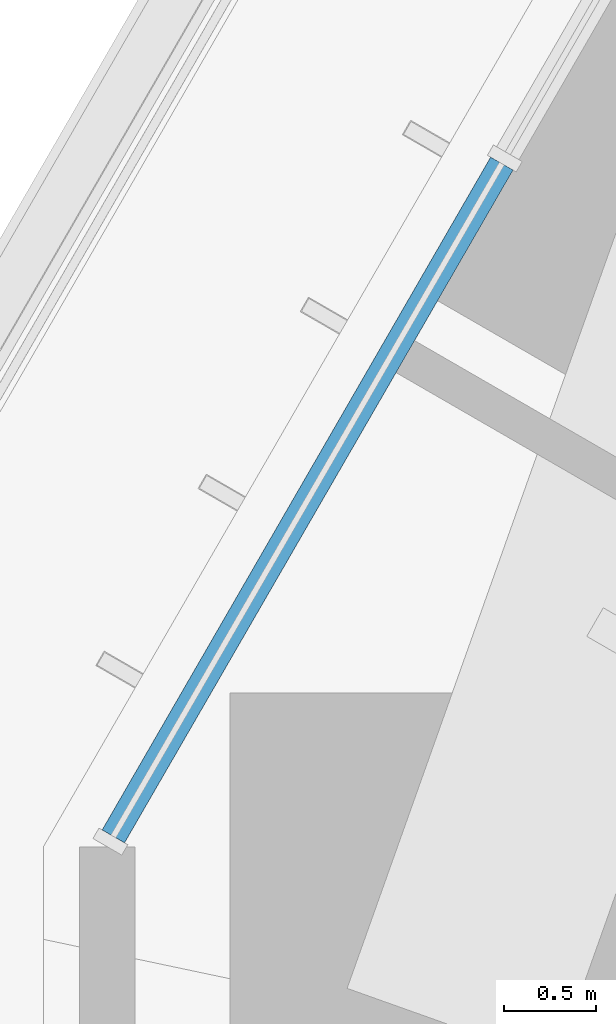
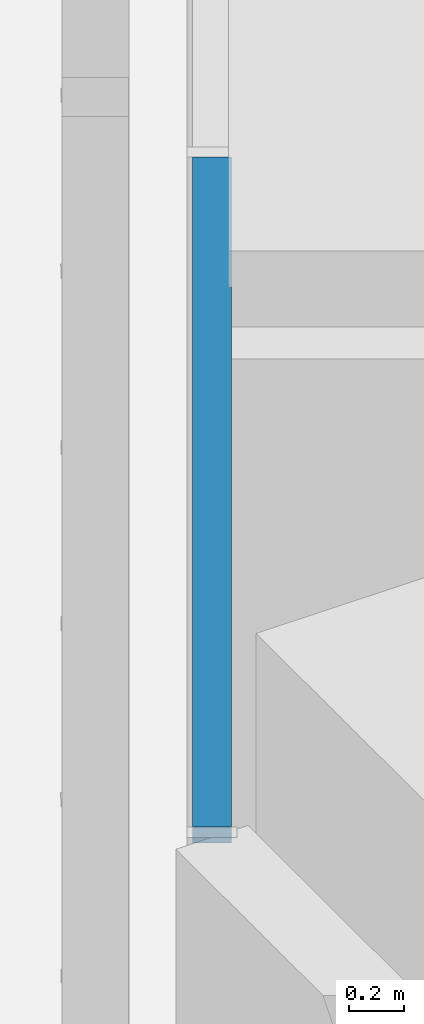
# One storey, part 126 of 238: 1 member, 1 element without a shape of its own.
"""IFC4 building model written with IfcOpenShell, lengths in metres."""

from ifc_helpers import new_model, si_unit, direction, frame, origin, origin_2d, place, context, subcontext, project, spatial, rectangle, extrude, material, material_profile, profile_set, type_object, element, aggregate, save


model = new_model("IFC4")

# Units and contexts
model_context = context("Model", 3, precision=1e-05, world=origin(), true_north=direction((0.0, 1.0)))
body_context = subcontext(model_context, "Body", "Model", "MODEL_VIEW")
ifc_project = project(units=[si_unit("LENGTHUNIT", "METRE"), si_unit("AREAUNIT", "SQUARE_METRE"), si_unit("VOLUMEUNIT", "CUBIC_METRE"), si_unit("PLANEANGLEUNIT", "RADIAN"), si_unit("MASSUNIT", "GRAM", prefix="KILO")], contexts=[model_context])

# Site, building, storey
site_placement = place(None, origin())
site = spatial("IfcSite", under=ifc_project, at=site_placement, CompositionType="ELEMENT")
building_placement = place(site_placement, origin())
building = spatial("IfcBuilding", under=site, at=building_placement, Name="Sandreach Pilgrim Tower", CompositionType="ELEMENT")
storey_placement = place(building_placement, frame((0.0, 0.0, 96.800048828125)))
storey = spatial("IfcBuildingStorey", under=building, at=storey_placement, Name="L23", CompositionType="ELEMENT", Elevation=96.800048828125)

# Curtain wall, member
ifc_material_1 = material(Name="Aluminium framed curtain wall", Category="aluminium")
curtain_wall_type = type_object("IfcCurtainWallType", Name="Hotel tower curtain wall", PredefinedType="NOTDEFINED", material=ifc_material_1)
curtain_wall_placement = place(storey_placement, origin())
curtain_wall = element("IfcCurtainWall", 1, at=curtain_wall_placement, inside=storey, type_object=curtain_wall_type, Name="CW-2 L23 NW", PredefinedType="NOTDEFINED")
ifc_material_2 = material(Name="Aluminium extrusion", Category="aluminium")
ifc_material_profile = material_profile(ifc_material_2, rectangle(XDim=0.139892578125, YDim=0.070068359375, at=origin_2d()), Name="CW-2T 140X70")
ifc_profile_set = profile_set([ifc_material_profile], Name="Aluminium extrusion")
member_type = type_object("IfcMemberType", Name="CW-2 transom", PredefinedType="USERDEFINED", material=ifc_profile_set)
member_placement = place(storey_placement, frame((-28.6884765625, 6.69482421875, 3.60498046875), z_axis=(0.500038835258, 0.866002981077, 0.0), x_axis=(-0.866002981077, 0.500038835258, 0.0)))
member = element("IfcMember", 2, at=member_placement, type_object=member_type, Name="CW-2 head transom 1", ObjectType="TRANSOM", PredefinedType="USERDEFINED", context=body_context, shape_type="SweptSolid", body=[
    extrude(rectangle(XDim=0.139892578125, YDim=0.070068359375, at=origin_2d()), origin(), (0.0, 0.0, 1.0), 4.208251953125),
])
aggregate(curtain_wall, [member])

save(model, "model.ifc")
